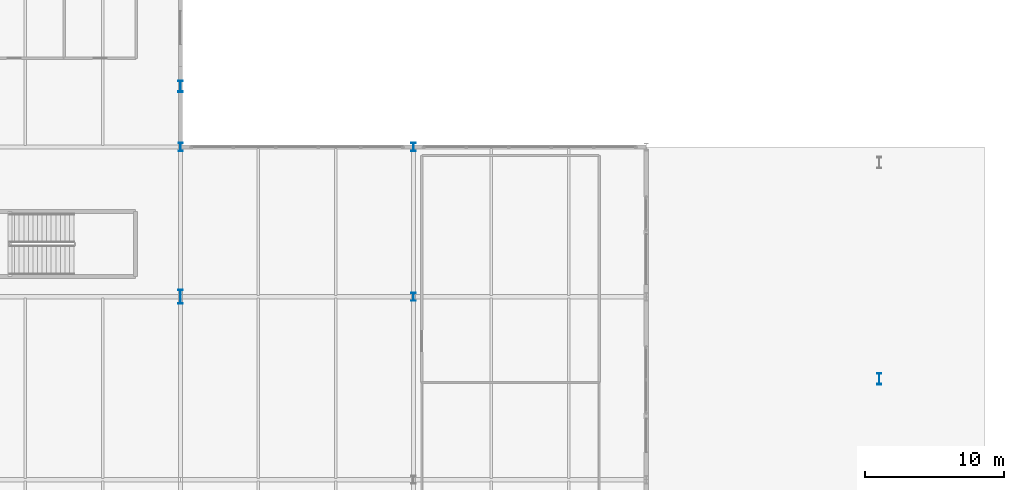
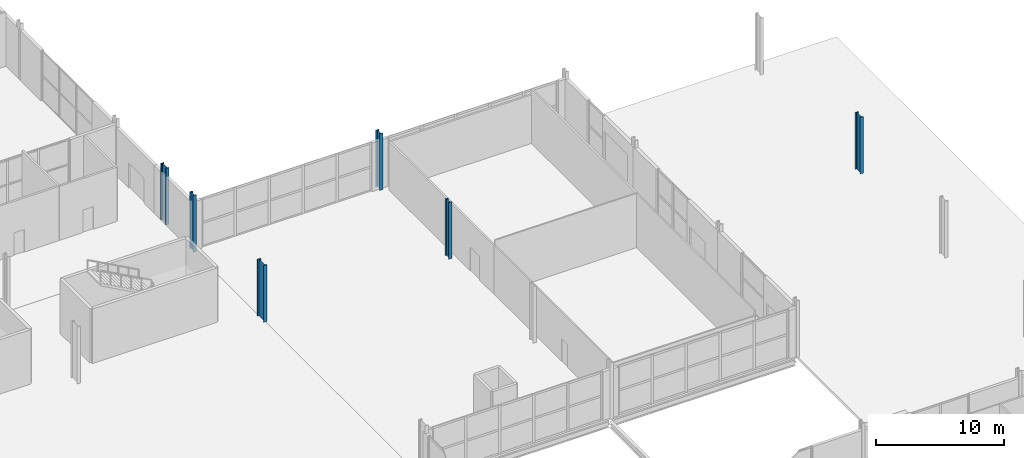
# One storey, part 16 of 87: 6 columns.
"""IFC4 building model written with IfcOpenShell, lengths in metres."""

from ifc_helpers import new_model, si_unit, direction, frame, origin, origin_2d, place, context, subcontext, project, spatial, i_section, extrude, material, material_profile, profile_set, type_object, element, save


model = new_model("IFC4")

# Units and contexts
model_context = context("Model", 3, precision=1e-05, world=origin(), true_north=direction((0.0, 1.0)))
body_context = subcontext(model_context, "Body", "Model", "MODEL_VIEW")
ifc_project = project(units=[si_unit("LENGTHUNIT", "METRE"), si_unit("AREAUNIT", "SQUARE_METRE"), si_unit("VOLUMEUNIT", "CUBIC_METRE"), si_unit("PLANEANGLEUNIT", "RADIAN"), si_unit("MASSUNIT", "GRAM", prefix="KILO")], contexts=[model_context])

# Site, building, storey
site_placement = place(None, origin())
site = spatial("IfcSite", under=ifc_project, at=site_placement, CompositionType="ELEMENT")
building_placement = place(site_placement, origin())
building = spatial("IfcBuilding", under=site, at=building_placement, Name="Kimbaza Rail Terminus", CompositionType="ELEMENT")
storey_placement = place(building_placement, origin())
storey = spatial("IfcBuildingStorey", under=building, at=storey_placement, Name="L00", CompositionType="ELEMENT", Elevation=0.0)

# Columns
ifc_material_1 = material(Name="Steel S355", Category="steel")
ifc_material_profile_1 = material_profile(ifc_material_1, i_section(OverallWidth=0.300048828125, OverallDepth=0.60009765625, WebThickness=0.015380859375, FlangeThickness=0.030029296875, FilletRadius=0.027099609375, at=origin_2d()), Name="HEB 600")
ifc_profile_set_1 = profile_set([ifc_material_profile_1], Name="Steel S355")
column_type_1 = type_object("IfcColumnType", Name="STR-COL-HEB600", PredefinedType="COLUMN", material=ifc_profile_set_1)
for number, where, z_axis, x_axis, name in (
    (1, (156.0, 91.0, 0.0), (0.0, 0.0, 1.0), (1.0, 0.0, 0.0), "North Transfer Pier L00 (6,1)"),
    (2, (172.800048828125, 80.199951171875, 0.0), (0.0, 0.0, 1.0), (1.0, 0.0, 0.0), "North Transfer Pier L00 (7,0)"),
    (3, (172.800048828125, 91.0, 0.0), (0.0, 0.0, 1.0), (1.0, 0.0, 0.0), "North Transfer Pier L00 (7,1)"),
):
    element("IfcColumn", number, at=place(storey_placement, frame(where, z_axis=z_axis, x_axis=x_axis)), inside=storey, type_object=column_type_1, Name=name, PredefinedType="COLUMN", context=body_context, shape_type="SweptSolid", body=[
        extrude(i_section(OverallWidth=0.300048828125, OverallDepth=0.60009765625, WebThickness=0.015380859375, FlangeThickness=0.030029296875, FilletRadius=0.027099609375, at=origin_2d()), origin(), (0.0, 0.0, 1.0), 5.39990234375),
    ])
ifc_material_2 = material(Name="Steel S355", Category="steel")
ifc_material_profile_2 = material_profile(ifc_material_2, i_section(OverallWidth=0.302001953125, OverallDepth=1.008056640625, WebThickness=0.02099609375, FlangeThickness=0.0400390625, FilletRadius=0.030029296875, at=origin_2d()), Name="HEM 1000")
ifc_profile_set_2 = profile_set([ifc_material_profile_2], Name="Steel S355")
column_type_2 = type_object("IfcColumnType", Name="STR-COL-HEM1000", PredefinedType="COLUMN", material=ifc_profile_set_2)
column_placement = place(storey_placement, frame((156.0, 80.199951171875, 0.0), z_axis=(0.0, 0.0, 1.0), x_axis=(1.0, 0.0, 0.0)))
element("IfcColumn", 4, at=column_placement, inside=storey, type_object=column_type_2, Name="North Transfer Pier L00 (6,0)", PredefinedType="COLUMN", context=body_context, shape_type="SweptSolid", body=[
    extrude(i_section(OverallWidth=0.302001953125, OverallDepth=1.008056640625, WebThickness=0.02099609375, FlangeThickness=0.0400390625, FilletRadius=0.030029296875, at=origin_2d()), origin(), (0.0, 0.0, 1.0), 5.39990234375),
])
ifc_material_3 = material(Name="Steel S355", Category="steel")
ifc_material_profile_3 = material_profile(ifc_material_3, i_section(OverallWidth=0.302978515625, OverallDepth=0.81396484375, WebThickness=0.02099609375, FlangeThickness=0.0400390625, FilletRadius=0.030029296875, at=origin_2d()), Name="HEM 800")
ifc_profile_set_3 = profile_set([ifc_material_profile_3], Name="Steel S355")
column_type_3 = type_object("IfcColumnType", Name="STR-COL-HEM800", PredefinedType="COLUMN", material=ifc_profile_set_3)
for number, where, z_axis, x_axis, name in (
    (5, (206.39990234375, 74.27587890625, 0.0), (0.0, 0.0, 1.0), (1.0, 0.0, 0.0), "Viaduct Pier Column L00 VP-12"),
    (6, (156.0, 95.375732421875, 0.0), (0.0, 0.0, 1.0), (1.0, 0.0, 0.0), "North Vault Springing Pier L00 VP-09"),
):
    element("IfcColumn", number, at=place(storey_placement, frame(where, z_axis=z_axis, x_axis=x_axis)), inside=storey, type_object=column_type_3, Name=name, PredefinedType="COLUMN", context=body_context, shape_type="SweptSolid", body=[
        extrude(i_section(OverallWidth=0.302978515625, OverallDepth=0.81396484375, WebThickness=0.02099609375, FlangeThickness=0.0400390625, FilletRadius=0.030029296875, at=origin_2d()), origin(), (0.0, 0.0, 1.0), 5.39990234375),
    ])

save(model, "model.ifc")
